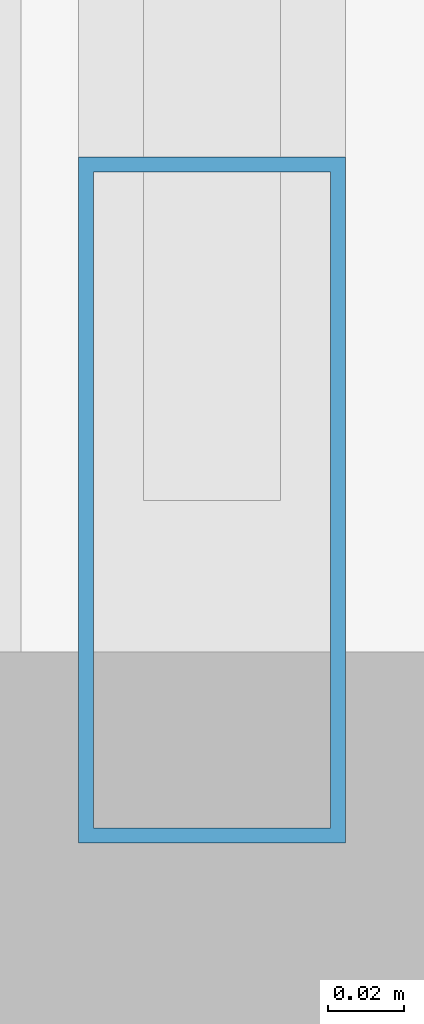
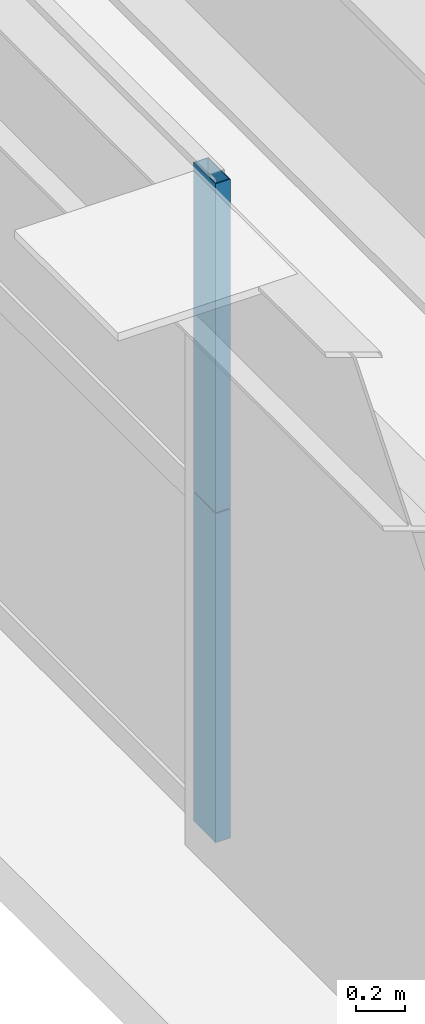
# One storey, part 8 of 45: 2 members, 1 element without a shape of its own.
"""IFC4 building model written with IfcOpenShell, lengths in metres."""

from ifc_helpers import new_model, si_unit, direction, frame, origin, origin_2d, place, context, subcontext, project, spatial, hollow_rectangle, extrude, source, transform, mapped, material, layer, layer_set, material_profile, profile_set, type_object, element, aggregate, save


model = new_model("IFC4")

# Units and contexts
model_context = context("Model", 3, precision=1e-05, world=origin(), true_north=direction((0.0, 1.0)))
body_context = subcontext(model_context, "Body", "Model", "MODEL_VIEW")
ifc_project = project(units=[si_unit("LENGTHUNIT", "METRE"), si_unit("AREAUNIT", "SQUARE_METRE"), si_unit("VOLUMEUNIT", "CUBIC_METRE"), si_unit("PLANEANGLEUNIT", "RADIAN"), si_unit("MASSUNIT", "GRAM", prefix="KILO"), si_unit("THERMODYNAMICTEMPERATUREUNIT", "KELVIN"), si_unit("POWERUNIT", "WATT")], contexts=[model_context])

# Site, building, storey
site_placement = place(None, origin())
site = spatial("IfcSite", under=ifc_project, at=site_placement, CompositionType="ELEMENT")
building_placement = place(site_placement, origin())
building = spatial("IfcBuilding", under=site, at=building_placement, Name="Yuzanri Waterfront Tower", CompositionType="ELEMENT")
storey_placement = place(building_placement, frame((0.0, 0.0, 163.199951171875)))
storey = spatial("IfcBuildingStorey", under=building, at=storey_placement, Name="L43", CompositionType="ELEMENT", Elevation=163.199951171875)

# Curtain wall, members
ifc_material_1 = material(Name="Anodized Architectural Bronze", Category="metal")
ifc_layer = layer(ifc_material_1, 0.159912109375)
ifc_layer_set = layer_set([ifc_layer], Name="Anodized Architectural Bronze")
curtain_wall_type = type_object("IfcCurtainWallType", Name="Anodized Bronze Hotel Upper-Tier Solar-Control Unitized Curtain Wall 7800", PredefinedType="NOTDEFINED", material=ifc_layer_set)
curtain_wall_placement = place(storey_placement, origin())
curtain_wall = element("IfcCurtainWall", 1, at=curtain_wall_placement, inside=storey, type_object=curtain_wall_type, Name="L43 Curtain Wall CW-L43-WL", PredefinedType="NOTDEFINED")
ifc_material_2 = material(Name="Anodized Architectural Bronze", Category="metal")
ifc_material_profile = material_profile(ifc_material_2, hollow_rectangle(XDim=0.070068359375, YDim=0.179931640625, WallThickness=0.00390625, at=origin_2d()), Name="CWM 70x180")
ifc_profile_set = profile_set([ifc_material_profile], Name="Anodized Architectural Bronze")
member_type = type_object("IfcMemberType", Name="Anodized Bronze Standard Curtain-Wall Mullion 70x180", PredefinedType="MULLION", material=ifc_profile_set)
shared_shape = source(origin(), body_context, "Body", "SweptSolid", [
    extrude(hollow_rectangle(XDim=0.070068359375, YDim=0.179931640625, WallThickness=0.00390625, at=origin_2d()), origin(), (0.0, 0.0, 1.0), 1.64794921875),
])
member_1_placement = place(storey_placement, frame((13.550048828125, 9.590087890625, 0.0), z_axis=(0.0, 0.0, 1.0), x_axis=(1.0, 0.0, 0.0)))
member_1 = element("IfcMember", 2, at=member_1_placement, type_object=member_type, Name="CW-L43-WL Lower Mullion 00", PredefinedType="MULLION", context=body_context, shape_type="MappedRepresentation", body=[
    mapped(shared_shape, transform((0.0, 0.0, 0.0), scale=1.0)),
])
member_2_placement = place(storey_placement, frame((13.550048828125, 9.590087890625, 1.652099609375), z_axis=(0.0, 0.0, 1.0), x_axis=(1.0, 0.0, 0.0)))
member_2 = element("IfcMember", 3, at=member_2_placement, type_object=member_type, Name="CW-L43-WL Upper Mullion 00", PredefinedType="MULLION", context=body_context, shape_type="MappedRepresentation", body=[
    mapped(shared_shape, transform((0.0, 0.0, 0.0), scale=1.0)),
])
aggregate(curtain_wall, [member_1, member_2])

save(model, "model.ifc")
